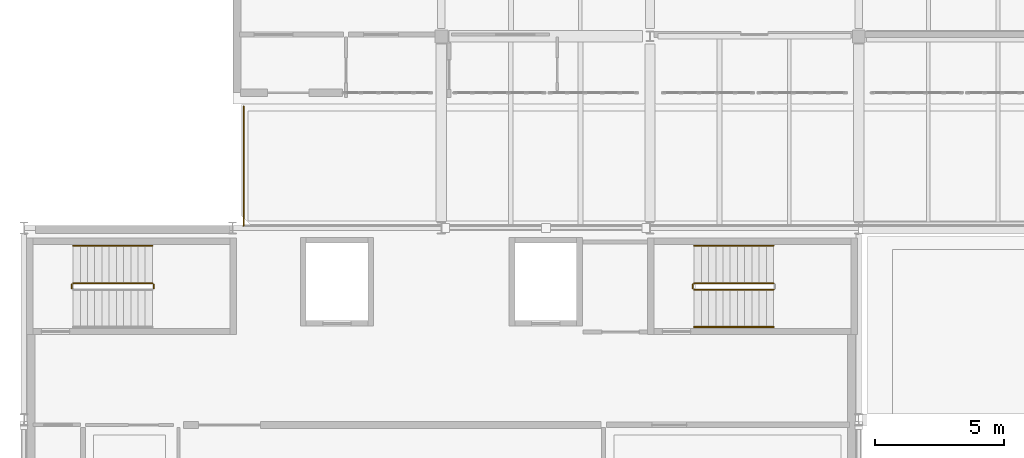
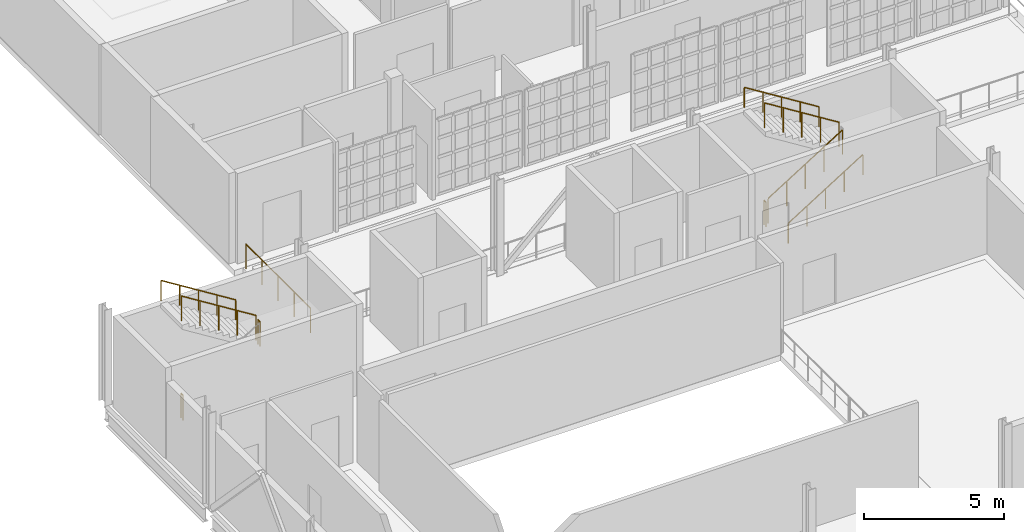
# One storey, part 23 of 25: 10 railings.
"""IFC4 building model written with IfcOpenShell, lengths in metres."""

from ifc_helpers import new_model, si_unit, direction, frame, origin, origin_2d, place, context, subcontext, project, spatial, circle, extrude, material, type_object, element, save


model = new_model("IFC4")

# Units and contexts
model_context = context("Model", 3, precision=1e-05, world=origin(), true_north=direction((0.0, 1.0)))
body_context = subcontext(model_context, "Body", "Model", "MODEL_VIEW")
ifc_project = project(units=[si_unit("LENGTHUNIT", "METRE"), si_unit("AREAUNIT", "SQUARE_METRE"), si_unit("VOLUMEUNIT", "CUBIC_METRE"), si_unit("PLANEANGLEUNIT", "RADIAN"), si_unit("MASSUNIT", "GRAM", prefix="KILO")], contexts=[model_context])

# Site, building, storey
site_placement = place(None, origin())
site = spatial("IfcSite", under=ifc_project, at=site_placement, CompositionType="ELEMENT")
building_placement = place(site_placement, origin())
building = spatial("IfcBuilding", under=site, at=building_placement, Name="Kaelora Sail Theatre", CompositionType="ELEMENT")
storey_placement = place(building_placement, frame((0.0, 0.0, 19.199951171875)))
storey = spatial("IfcBuildingStorey", under=building, at=storey_placement, Name="L04", CompositionType="ELEMENT", Elevation=19.199951171875)

# Railings
ifc_material_1 = material(Name="Painted steel and laminated safety glass guard", Category="steel")
railing_type_1 = type_object("IfcRailingType", Name="ARC-RL-GRD", PredefinedType="GUARDRAIL", material=ifc_material_1)
railing_1_placement = place(storey_placement, frame((30.840087890625, 81.0, 2.10009765625)))
element("IfcRailing", 1, at=railing_1_placement, inside=storey, type_object=railing_type_1, Name="L04 ST-K1 stair guard 2", PredefinedType="GUARDRAIL", context=body_context, shape_type="SweptSolid", body=[
    extrude(circle(Radius=0.02392578125, at=origin_2d()), frame((0.0, 0.0, 1.076171875), z_axis=(0.0, 1.0, 0.0), x_axis=(-1.0, 0.0, 0.0)), (0.0, 0.0, 1.0), 0.14990234375),
    extrude(circle(Radius=0.02099609375, at=origin_2d()), origin(), (0.0, 0.0, 1.0), 1.052001953125),
    extrude(circle(Radius=0.02099609375, at=origin_2d()), frame((0.0, 0.14990234375, 0.0)), (0.0, 0.0, 1.0), 1.052001953125),
])
railing_2_placement = place(storey_placement, frame((30.7900390625, 81.199951171875, 2.275146484375)))
element("IfcRailing", 2, at=railing_2_placement, inside=storey, type_object=railing_type_1, Name="L04 ST-K1 stair guard 3", PredefinedType="GUARDRAIL", context=body_context, shape_type="SweptSolid", body=[
    extrude(circle(Radius=0.02392578125, at=origin_2d()), frame((0.0, 0.0, 1.076171875), z_axis=(-0.848028513186, 0.0, 0.529950602248), x_axis=(0.0, -1.0, 0.0)), (0.0, 0.0, 1.0), 3.632080078125),
    extrude(circle(Radius=0.02099609375, at=origin_2d()), origin(), (0.0, 0.0, 1.0), 1.052001953125),
    extrude(circle(Radius=0.02099609375, at=origin_2d()), frame((-0.77001953125, 0.0, 0.481201171875)), (0.0, 0.0, 1.0), 1.052001953125),
    extrude(circle(Radius=0.02099609375, at=origin_2d()), frame((-1.5400390625, 0.0, 0.96240234375)), (0.0, 0.0, 1.0), 1.052001953125),
    extrude(circle(Radius=0.02099609375, at=origin_2d()), frame((-2.31005859375, 0.0, 1.443603515625)), (0.0, 0.0, 1.0), 1.052001953125),
    extrude(circle(Radius=0.02099609375, at=origin_2d()), frame((-3.080078125, 0.0, 1.9248046875)), (0.0, 0.0, 1.0), 1.052001953125),
])
railing_3_placement = place(storey_placement, frame((27.659912109375, 81.0, 0.0)))
element("IfcRailing", 3, at=railing_3_placement, inside=storey, type_object=railing_type_1, Name="L04 ST-K1 stair guard 4", PredefinedType="GUARDRAIL", context=body_context, shape_type="SweptSolid", body=[
    extrude(circle(Radius=0.02392578125, at=origin_2d()), frame((0.0, 0.0, 1.076171875), z_axis=(0.0, 1.0, 0.0), x_axis=(-1.0, 0.0, 0.0)), (0.0, 0.0, 1.0), 0.14990234375),
    extrude(circle(Radius=0.02099609375, at=origin_2d()), origin(), (0.0, 0.0, 1.0), 1.052001953125),
    extrude(circle(Radius=0.02099609375, at=origin_2d()), frame((0.0, 0.14990234375, 0.0)), (0.0, 0.0, 1.0), 1.052001953125),
])
railing_4_placement = place(storey_placement, frame((51.81005859375, 80.949951171875, 0.175048828125)))
element("IfcRailing", 4, at=railing_4_placement, inside=storey, type_object=railing_type_1, Name="L04 ST-K5 stair guard 1", PredefinedType="GUARDRAIL", context=body_context, shape_type="SweptSolid", body=[
    extrude(circle(Radius=0.02392578125, at=origin_2d()), frame((0.0, 0.0, 1.076171875), z_axis=(0.847979421464, 0.0, 0.530029150871), x_axis=(0.0, 1.0, 0.0)), (0.0, 0.0, 1.0), 3.632080078125),
    extrude(circle(Radius=0.02099609375, at=origin_2d()), origin(), (0.0, 0.0, 1.0), 1.052001953125),
    extrude(circle(Radius=0.02099609375, at=origin_2d()), frame((0.77001953125, 0.0, 0.481201171875)), (0.0, 0.0, 1.0), 1.052001953125),
    extrude(circle(Radius=0.02099609375, at=origin_2d()), frame((1.5400390625, 0.0, 0.96240234375)), (0.0, 0.0, 1.0), 1.052001953125),
    extrude(circle(Radius=0.02099609375, at=origin_2d()), frame((2.309814453125, 0.0, 1.44384765625)), (0.0, 0.0, 1.0), 1.052001953125),
    extrude(circle(Radius=0.02099609375, at=origin_2d()), frame((3.079833984375, 0.0, 1.925048828125)), (0.0, 0.0, 1.0), 1.052001953125),
])
railing_5_placement = place(storey_placement, frame((54.889892578125, 81.199951171875, 2.275146484375)))
element("IfcRailing", 5, at=railing_5_placement, inside=storey, type_object=railing_type_1, Name="L04 ST-K5 stair guard 3", PredefinedType="GUARDRAIL", context=body_context, shape_type="SweptSolid", body=[
    extrude(circle(Radius=0.02392578125, at=origin_2d()), frame((0.0, 0.0, 1.076171875), z_axis=(-0.848009633417, 0.0, 0.529980812513), x_axis=(0.0, -1.0, 0.0)), (0.0, 0.0, 1.0), 3.6318359375),
    extrude(circle(Radius=0.02099609375, at=origin_2d()), origin(), (0.0, 0.0, 1.0), 1.052001953125),
    extrude(circle(Radius=0.02099609375, at=origin_2d()), frame((-0.77001953125, 0.0, 0.481201171875)), (0.0, 0.0, 1.0), 1.052001953125),
    extrude(circle(Radius=0.02099609375, at=origin_2d()), frame((-1.5400390625, 0.0, 0.96240234375)), (0.0, 0.0, 1.0), 1.052001953125),
    extrude(circle(Radius=0.02099609375, at=origin_2d()), frame((-2.309814453125, 0.0, 1.443603515625)), (0.0, 0.0, 1.0), 1.052001953125),
    extrude(circle(Radius=0.02099609375, at=origin_2d()), frame((-3.079833984375, 0.0, 1.9248046875)), (0.0, 0.0, 1.0), 1.052001953125),
])
railing_6_placement = place(storey_placement, frame((51.760009765625, 81.0, 0.0)))
element("IfcRailing", 6, at=railing_6_placement, inside=storey, type_object=railing_type_1, Name="L04 ST-K5 stair guard 4", PredefinedType="GUARDRAIL", context=body_context, shape_type="SweptSolid", body=[
    extrude(circle(Radius=0.02392578125, at=origin_2d()), frame((0.0, 0.0, 1.076171875), z_axis=(0.0, 1.0, 0.0), x_axis=(-1.0, 0.0, 0.0)), (0.0, 0.0, 1.0), 0.14990234375),
    extrude(circle(Radius=0.02099609375, at=origin_2d()), origin(), (0.0, 0.0, 1.0), 1.052001953125),
    extrude(circle(Radius=0.02099609375, at=origin_2d()), frame((0.0, 0.14990234375, 0.0)), (0.0, 0.0, 1.0), 1.052001953125),
])
ifc_material_2 = material(Name="Brushed stainless steel 316L tubular handrail", Category="steel")
railing_type_2 = type_object("IfcRailingType", Name="ARC-RL-HND", PredefinedType="HANDRAIL", material=ifc_material_2)
railing_7_placement = place(storey_placement, frame((30.7900390625, 82.64990234375, 2.275146484375)))
element("IfcRailing", 7, at=railing_7_placement, inside=storey, type_object=railing_type_2, Name="L04 ST-K1 stair handrail 2", PredefinedType="HANDRAIL", context=body_context, shape_type="SweptSolid", body=[
    extrude(circle(Radius=0.02392578125, at=origin_2d()), frame((0.0, 0.0, 0.8759765625), z_axis=(-0.848028513186, 0.0, 0.529950602248), x_axis=(0.0, -1.0, 0.0)), (0.0, 0.0, 1.0), 3.632080078125),
    extrude(circle(Radius=0.02099609375, at=origin_2d()), origin(), (0.0, 0.0, 1.0), 0.851806640625),
    extrude(circle(Radius=0.02099609375, at=origin_2d()), frame((-0.77001953125, 0.0, 0.481201171875)), (0.0, 0.0, 1.0), 0.851806640625),
    extrude(circle(Radius=0.02099609375, at=origin_2d()), frame((-1.5400390625, 0.0, 0.96240234375)), (0.0, 0.0, 1.0), 0.851806640625),
    extrude(circle(Radius=0.02099609375, at=origin_2d()), frame((-2.31005859375, 0.0, 1.443603515625)), (0.0, 0.0, 1.0), 0.851806640625),
    extrude(circle(Radius=0.02099609375, at=origin_2d()), frame((-3.080078125, 0.0, 1.9248046875)), (0.0, 0.0, 1.0), 0.851806640625),
])
railing_8_placement = place(storey_placement, frame((51.81005859375, 79.5, 0.175048828125)))
element("IfcRailing", 8, at=railing_8_placement, inside=storey, type_object=railing_type_2, Name="L04 ST-K5 stair handrail 1", PredefinedType="HANDRAIL", context=body_context, shape_type="SweptSolid", body=[
    extrude(circle(Radius=0.02392578125, at=origin_2d()), frame((0.0, 0.0, 0.8759765625), z_axis=(0.847979421464, 0.0, 0.530029150871), x_axis=(0.0, 1.0, 0.0)), (0.0, 0.0, 1.0), 3.632080078125),
    extrude(circle(Radius=0.02099609375, at=origin_2d()), origin(), (0.0, 0.0, 1.0), 0.851806640625),
    extrude(circle(Radius=0.02099609375, at=origin_2d()), frame((0.77001953125, 0.0, 0.481201171875)), (0.0, 0.0, 1.0), 0.851806640625),
    extrude(circle(Radius=0.02099609375, at=origin_2d()), frame((1.5400390625, 0.0, 0.96240234375)), (0.0, 0.0, 1.0), 0.851806640625),
    extrude(circle(Radius=0.02099609375, at=origin_2d()), frame((2.309814453125, 0.0, 1.44384765625)), (0.0, 0.0, 1.0), 0.851806640625),
    extrude(circle(Radius=0.02099609375, at=origin_2d()), frame((3.079833984375, 0.0, 1.925048828125)), (0.0, 0.0, 1.0), 0.851806640625),
])
railing_9_placement = place(storey_placement, frame((54.889892578125, 82.64990234375, 2.275146484375)))
element("IfcRailing", 9, at=railing_9_placement, inside=storey, type_object=railing_type_2, Name="L04 ST-K5 stair handrail 2", PredefinedType="HANDRAIL", context=body_context, shape_type="SweptSolid", body=[
    extrude(circle(Radius=0.02392578125, at=origin_2d()), frame((0.0, 0.0, 0.8759765625), z_axis=(-0.848009633417, 0.0, 0.529980812513), x_axis=(0.0, -1.0, 0.0)), (0.0, 0.0, 1.0), 3.6318359375),
    extrude(circle(Radius=0.02099609375, at=origin_2d()), origin(), (0.0, 0.0, 1.0), 0.851806640625),
    extrude(circle(Radius=0.02099609375, at=origin_2d()), frame((-0.77001953125, 0.0, 0.481201171875)), (0.0, 0.0, 1.0), 0.851806640625),
    extrude(circle(Radius=0.02099609375, at=origin_2d()), frame((-1.5400390625, 0.0, 0.96240234375)), (0.0, 0.0, 1.0), 0.851806640625),
    extrude(circle(Radius=0.02099609375, at=origin_2d()), frame((-2.309814453125, 0.0, 1.443603515625)), (0.0, 0.0, 1.0), 0.851806640625),
    extrude(circle(Radius=0.02099609375, at=origin_2d()), frame((-3.079833984375, 0.0, 1.9248046875)), (0.0, 0.0, 1.0), 0.851806640625),
])
ifc_material_3 = material(Name="Stainless steel 316L and laminated glass balustrade", Category="steel")
railing_type_3 = type_object("IfcRailingType", Name="ARC-RL-TER", PredefinedType="GUARDRAIL", material=ifc_material_3)
railing_10_placement = place(storey_placement, frame((34.330078125, 83.43505859375, 0.0)))
element("IfcRailing", 10, at=railing_10_placement, inside=storey, type_object=railing_type_3, Name="Fifth Step Conservatory & Recording Planted Terrace Balustrade W", PredefinedType="GUARDRAIL", context=body_context, shape_type="SweptSolid", body=[
    extrude(circle(Radius=0.02392578125, at=origin_2d()), frame((0.0, 0.0, 1.076171875), z_axis=(0.0, 1.0, 0.0), x_axis=(-1.0, 0.0, 0.0)), (0.0, 0.0, 1.0), 4.619873046875),
    extrude(circle(Radius=0.02099609375, at=origin_2d()), origin(), (0.0, 0.0, 1.0), 1.052001953125),
    extrude(circle(Radius=0.02099609375, at=origin_2d()), frame((0.0, 1.155029296875, 0.0)), (0.0, 0.0, 1.0), 1.052001953125),
    extrude(circle(Radius=0.02099609375, at=origin_2d()), frame((0.0, 2.31005859375, 0.0)), (0.0, 0.0, 1.0), 1.052001953125),
    extrude(circle(Radius=0.02099609375, at=origin_2d()), frame((0.0, 3.46484375, 0.0)), (0.0, 0.0, 1.0), 1.052001953125),
    extrude(circle(Radius=0.02099609375, at=origin_2d()), frame((0.0, 4.619873046875, 0.0)), (0.0, 0.0, 1.0), 1.052001953125),
])

save(model, "model.ifc")
